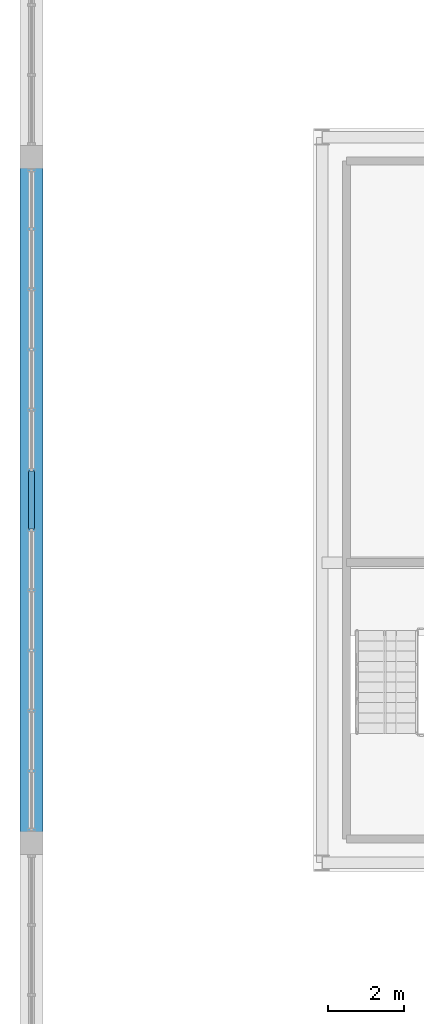
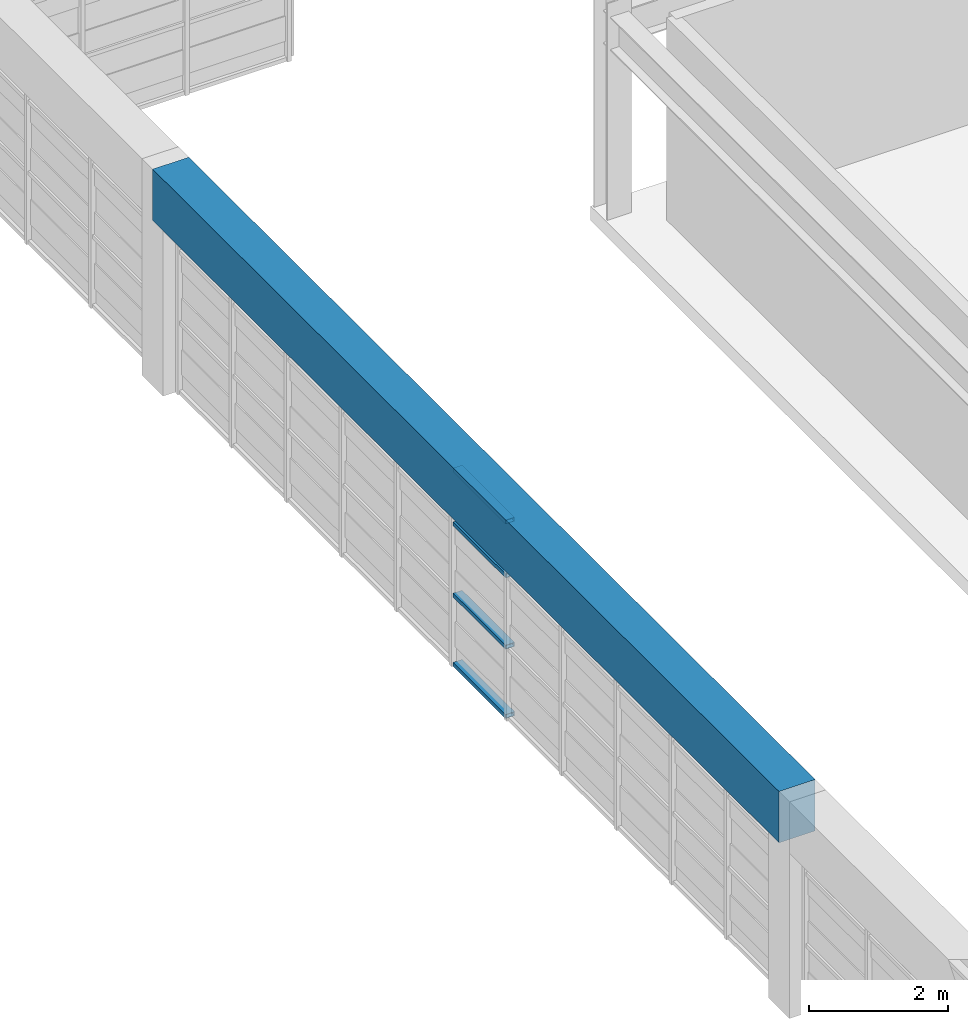
# One storey, part 9 of 27: 4 members, 1 beam, 1 element without a shape of its own.
"""IFC4 building model written with IfcOpenShell, lengths in metres."""

from ifc_helpers import new_model, si_unit, direction, frame, origin, origin_2d, place, context, subcontext, project, spatial, rectangle, hollow_rectangle, extrude, source, transform, mapped, material, layer, layer_set, material_profile, profile_set, type_object, element, aggregate, save


model = new_model("IFC4")

# Units and contexts
model_context = context("Model", 3, precision=1e-05, world=origin(), true_north=direction((0.0, 1.0)))
body_context = subcontext(model_context, "Body", "Model", "MODEL_VIEW")
ifc_project = project(units=[si_unit("LENGTHUNIT", "METRE"), si_unit("AREAUNIT", "SQUARE_METRE"), si_unit("VOLUMEUNIT", "CUBIC_METRE"), si_unit("PLANEANGLEUNIT", "RADIAN"), si_unit("MASSUNIT", "GRAM", prefix="KILO")], contexts=[model_context])

# Site, building, storey
site_placement = place(None, origin())
site = spatial("IfcSite", under=ifc_project, at=site_placement, CompositionType="ELEMENT")
building_placement = place(site_placement, origin())
building = spatial("IfcBuilding", under=site, at=building_placement, Name="Saelheon Loggia Tower", CompositionType="ELEMENT")
storey_placement = place(building_placement, frame((0.0, 0.0, 256.0)))
storey = spatial("IfcBuildingStorey", under=building, at=storey_placement, Name="CR2", CompositionType="ELEMENT", Elevation=256.0)

# Beam
ifc_material_1 = material(Name="Precast Concrete C45/55", Category="concrete")
ifc_material_profile_1 = material_profile(ifc_material_1, rectangle(XDim=0.60009765625, YDim=0.89990234375, at=origin_2d()), Name="RC-600x900")
ifc_profile_set_1 = profile_set([ifc_material_profile_1], Name="Precast Concrete C45/55")
beam_type = type_object("IfcBeamType", Name="CrownFrame_Ring_RC600x900", PredefinedType="BEAM", material=ifc_profile_set_1)
shared_shape_1 = source(origin(), body_context, "Body", "SweptSolid", [
    extrude(rectangle(XDim=0.60009765625, YDim=0.89990234375, at=origin_2d()), origin(), (0.0, 0.0, 1.0), 18.0),
])
beam_placement = place(storey_placement, frame((23.35009765625, 36.0, 3.35009765625), z_axis=(0.0, -1.0, 0.0), x_axis=(1.0, 0.0, 0.0)))
element("IfcBeam", 1, at=beam_placement, inside=storey, type_object=beam_type, Name="CR2 CROWN FRAME Ring Beam 14", PredefinedType="BEAM", context=body_context, shape_type="MappedRepresentation", body=[
    mapped(shared_shape_1, transform((0.0, 0.0, 0.0), scale=1.0)),
])

# Curtain wall, members
ifc_material_2 = material(Name="Bronze-Anodised Aluminium and Fritted Ceramic Screen", Category="aluminium")
ifc_layer = layer(ifc_material_2, 0.219970703125)
ifc_layer_set = layer_set([ifc_layer], Name="Bronze-Anodised Aluminium and Fritted Ceramic Screen")
curtain_wall_type = type_object("IfcCurtainWallType", Name="CW_CrownScreen", PredefinedType="NOTDEFINED", material=ifc_layer_set)
curtain_wall_placement = place(storey_placement, origin())
curtain_wall = element("IfcCurtainWall", 2, at=curtain_wall_placement, inside=storey, type_object=curtain_wall_type, Name="CR2 Crown Screen Curtain Wall 9-2", PredefinedType="NOTDEFINED")
ifc_material_3 = material(Name="Bronze-Anodised Aluminium 6063-T6", Category="aluminium")
ifc_material_profile_2 = material_profile(ifc_material_3, hollow_rectangle(XDim=0.070068359375, YDim=0.14990234375, WallThickness=0.0048828125, at=origin_2d()), Name="RHS-150x70x5")
ifc_profile_set_2 = profile_set([ifc_material_profile_2], Name="Bronze-Anodised Aluminium 6063-T6")
member_type = type_object("IfcMemberType", Name="CW_CrownScreen_Transom", PredefinedType="USERDEFINED", material=ifc_profile_set_2)
shared_shape_2 = source(origin(), body_context, "Body", "SweptSolid", [
    extrude(hollow_rectangle(XDim=0.070068359375, YDim=0.14990234375, WallThickness=0.0048828125, at=origin_2d()), origin(), (0.0, 0.0, 1.0), 1.509765625),
])
member_1_placement = place(storey_placement, frame((23.35009765625, 27.7548828125, 0.034912109375), z_axis=(0.0, -1.0, 0.0), x_axis=(0.0, 0.0, 1.0)))
member_1 = element("IfcMember", 3, at=member_1_placement, type_object=member_type, Name="CW6 transom 6.1", ObjectType="TRANSOM", PredefinedType="USERDEFINED", context=body_context, shape_type="MappedRepresentation", body=[
    mapped(shared_shape_2, transform((0.0, 0.0, 0.0), scale=1.0)),
])
member_2_placement = place(storey_placement, frame((23.35009765625, 27.7548828125, 1.25), z_axis=(0.0, -1.0, 0.0), x_axis=(0.0, 0.0, 1.0)))
member_2 = element("IfcMember", 4, at=member_2_placement, type_object=member_type, Name="CW6 transom 6.2", ObjectType="TRANSOM", PredefinedType="USERDEFINED", context=body_context, shape_type="MappedRepresentation", body=[
    mapped(shared_shape_2, transform((0.0, 0.0, 0.0), scale=1.0)),
])
member_3_placement = place(storey_placement, frame((23.35009765625, 27.7548828125, 2.5), z_axis=(0.0, -1.0, 0.0), x_axis=(0.0, 0.0, 1.0)))
member_3 = element("IfcMember", 5, at=member_3_placement, type_object=member_type, Name="CW6 transom 6.3", ObjectType="TRANSOM", PredefinedType="USERDEFINED", context=body_context, shape_type="MappedRepresentation", body=[
    mapped(shared_shape_2, transform((0.0, 0.0, 0.0), scale=1.0)),
])
member_4_placement = place(storey_placement, frame((23.35009765625, 27.7548828125, 3.445068359375), z_axis=(0.0, -1.0, 0.0), x_axis=(0.0, 0.0, 1.0)))
member_4 = element("IfcMember", 6, at=member_4_placement, type_object=member_type, Name="CW6 transom 6.4", ObjectType="TRANSOM", PredefinedType="USERDEFINED", context=body_context, shape_type="MappedRepresentation", body=[
    mapped(shared_shape_2, transform((0.0, 0.0, 0.0), scale=1.0)),
])
aggregate(curtain_wall, [member_1, member_2, member_3, member_4])

save(model, "model.ifc")
